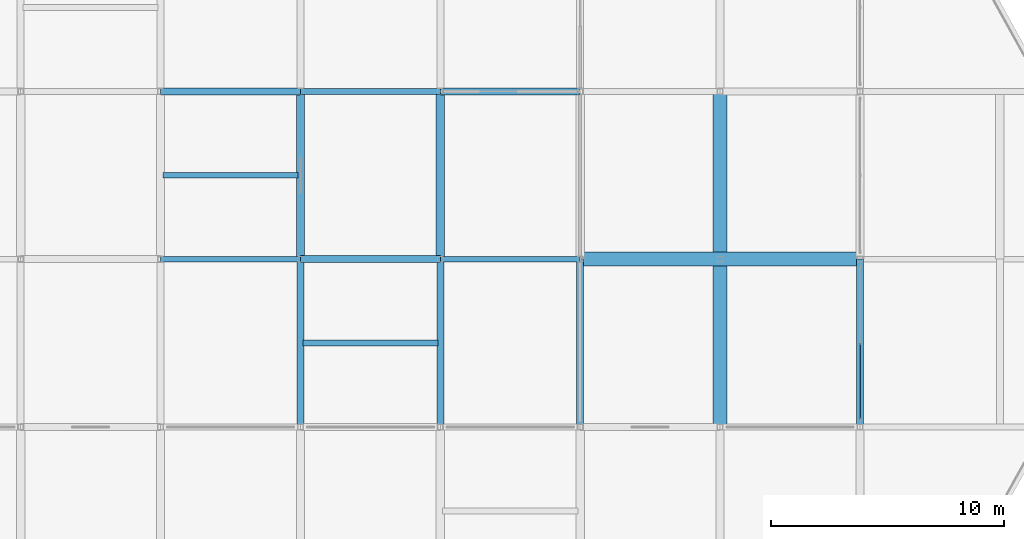
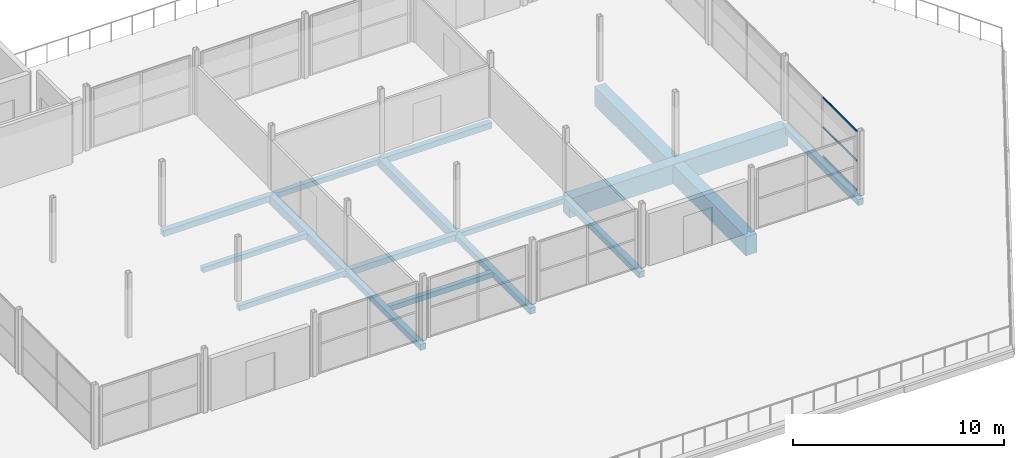
# One storey, part 159 of 239: 16 beams, 3 members, 1 element without a shape of its own.
"""IFC4 building model written with IfcOpenShell, lengths in metres."""

from ifc_helpers import new_model, si_unit, direction, frame, origin, origin_2d, place, context, subcontext, project, spatial, rectangle, hollow_rectangle, extrude, material, layer, layer_set, material_profile, profile_set, type_object, element, aggregate, save


model = new_model("IFC4")

# Units and contexts
model_context = context("Model", 3, precision=1e-05, world=origin(), true_north=direction((0.0, 1.0)))
body_context = subcontext(model_context, "Body", "Model", "MODEL_VIEW")
ifc_project = project(units=[si_unit("LENGTHUNIT", "METRE"), si_unit("AREAUNIT", "SQUARE_METRE"), si_unit("VOLUMEUNIT", "CUBIC_METRE"), si_unit("PLANEANGLEUNIT", "RADIAN"), si_unit("MASSUNIT", "GRAM", prefix="KILO")], contexts=[model_context])

# Site, building, storey
site_placement = place(None, origin())
site = spatial("IfcSite", under=ifc_project, at=site_placement, CompositionType="ELEMENT")
building_placement = place(site_placement, origin())
building = spatial("IfcBuilding", under=site, at=building_placement, Name="Dunvalen Ferry Terminal", CompositionType="ELEMENT")
storey_placement = place(building_placement, frame((0.0, 0.0, 9.840087890625)))
storey = spatial("IfcBuildingStorey", under=building, at=storey_placement, Name="L02", CompositionType="ELEMENT", Elevation=9.840087890625)

# Curtain wall, members
ifc_material_1 = material(Name="Anodised marine aluminium and solar-control glazing", Category="aluminium")
ifc_layer = layer(ifc_material_1, 0.159912109375, Name="Anodised marine aluminium and solar-control glazing")
ifc_layer_set = layer_set([ifc_layer], Name="Anodised marine aluminium and solar-control glazing")
curtain_wall_type = type_object("IfcCurtainWallType", Name="ENV-CW-SYS-10", PredefinedType="NOTDEFINED", material=ifc_layer_set)
curtain_wall_placement = place(storey_placement, origin())
curtain_wall = element("IfcCurtainWall", 1, at=curtain_wall_placement, inside=storey, type_object=curtain_wall_type, Name="L02 Curtain Wall CW-PAV-E-1", PredefinedType="NOTDEFINED")
ifc_material_2 = material(Name="Anodised marine aluminium EN AW-6063 T6", Category="aluminium")
ifc_material_profile_1 = material_profile(ifc_material_2, hollow_rectangle(XDim=0.054931640625, YDim=0.10009765625, WallThickness=0.0029296875, InnerFilletRadius=0.0029296875, OuterFilletRadius=0.006103515625, at=origin_2d()), Name="Anodised marine aluminium EN AW-6063 T6")
ifc_profile_set_1 = profile_set([ifc_material_profile_1], Name="Anodised marine aluminium EN AW-6063 T6")
member_type = type_object("IfcMemberType", Name="ENV-CW-TRN-4", PredefinedType="USERDEFINED", material=ifc_profile_set_1)
member_1_placement = place(storey_placement, frame((156.0, 14.7548828125, 0.02734375), z_axis=(0.0, 1.0, 0.0), x_axis=(-1.0, 0.0, 0.0)))
member_1 = element("IfcMember", 2, at=member_1_placement, type_object=member_type, Name="CW-10 transom 1.1", ObjectType="TRANSOM", PredefinedType="USERDEFINED", context=body_context, shape_type="SweptSolid", body=[
    extrude(hollow_rectangle(XDim=0.054931640625, YDim=0.10009765625, WallThickness=0.0029296875, InnerFilletRadius=0.0029296875, OuterFilletRadius=0.006103515625, at=origin_2d()), origin(), (0.0, 0.0, 1.0), 3.217529296875),
])
member_2_placement = place(storey_placement, frame((156.0, 14.7548828125, 1.72998046875), z_axis=(0.0, 1.0, 0.0), x_axis=(-1.0, 0.0, 0.0)))
member_2 = element("IfcMember", 3, at=member_2_placement, type_object=member_type, Name="CW-10 transom 1.2", ObjectType="TRANSOM", PredefinedType="USERDEFINED", context=body_context, shape_type="SweptSolid", body=[
    extrude(hollow_rectangle(XDim=0.054931640625, YDim=0.10009765625, WallThickness=0.0029296875, InnerFilletRadius=0.0029296875, OuterFilletRadius=0.006103515625, at=origin_2d()), origin(), (0.0, 0.0, 1.0), 3.217529296875),
])
member_3_placement = place(storey_placement, frame((156.0, 14.7548828125, 3.432373046875), z_axis=(0.0, 1.0, 0.0), x_axis=(-1.0, 0.0, 0.0)))
member_3 = element("IfcMember", 4, at=member_3_placement, type_object=member_type, Name="CW-10 transom 1.3", ObjectType="TRANSOM", PredefinedType="USERDEFINED", context=body_context, shape_type="SweptSolid", body=[
    extrude(hollow_rectangle(XDim=0.054931640625, YDim=0.10009765625, WallThickness=0.0029296875, InnerFilletRadius=0.0029296875, OuterFilletRadius=0.006103515625, at=origin_2d()), origin(), (0.0, 0.0, 1.0), 3.217529296875),
])
aggregate(curtain_wall, [member_1, member_2, member_3])

# Beams
ifc_material_3 = material(Name="Concrete C35/45", Category="concrete")
ifc_material_profile_2 = material_profile(ifc_material_3, rectangle(XDim=0.35009765625, YDim=0.5, at=origin_2d()), Name="Concrete C35/45")
ifc_profile_set_2 = profile_set([ifc_material_profile_2], Name="Concrete C35/45")
beam_type_1 = type_object("IfcBeamType", Name="STR-BM-RCB500W", PredefinedType="JOIST", material=ifc_profile_set_2)
for number, where, z_axis, x_axis, name in (
    (5, (132.0, 21.60009765625, -0.530029296875), (0.0, 1.0, 0.0), (-1.0, 0.0, 0.0), "L02 V4 Primary Girder Y-089"),
    (6, (138.0, 21.60009765625, -0.530029296875), (0.0, 1.0, 0.0), (-1.0, 0.0, 0.0), "L02 V4 Primary Girder Y-095"),
):
    element("IfcBeam", number, at=place(storey_placement, frame(where, z_axis=z_axis, x_axis=x_axis)), inside=storey, type_object=beam_type_1, Name=name, PredefinedType="JOIST", context=body_context, shape_type="SweptSolid", body=[
        extrude(rectangle(XDim=0.35009765625, YDim=0.5, at=origin_2d()), origin(), (0.0, 0.0, 1.0), 7.199951171875),
    ])
ifc_material_4 = material(Name="Concrete C40/50", Category="concrete")
ifc_material_profile_3 = material_profile(ifc_material_4, rectangle(XDim=0.60009765625, YDim=1.10009765625, at=origin_2d()), Name="Concrete C40/50")
ifc_profile_set_3 = profile_set([ifc_material_profile_3], Name="Concrete C40/50")
beam_type_2 = type_object("IfcBeamType", Name="STR-BM-RCG1100", PredefinedType="BEAM", material=ifc_profile_set_3)
beam_1_placement = place(storey_placement, frame((144.0, 21.60009765625, -0.830078125), z_axis=(1.0, 0.0, 0.0), x_axis=(0.0, 1.0, 0.0)))
element("IfcBeam", 7, at=beam_1_placement, inside=storey, type_object=beam_type_2, Name="L02 Promenade Transfer Girder X over Ramp Landing", PredefinedType="BEAM", context=body_context, shape_type="SweptSolid", body=[
    extrude(rectangle(XDim=0.60009765625, YDim=1.10009765625, at=origin_2d()), origin(), (0.0, 0.0, 1.0), 12.0),
])
beam_2_placement = place(storey_placement, frame((150.0, 14.39990234375, -0.830078125), z_axis=(0.0, 1.0, 0.0), x_axis=(-1.0, 0.0, 0.0)))
element("IfcBeam", 8, at=beam_2_placement, inside=storey, type_object=beam_type_2, Name="L02 Promenade Transfer Girder Y over Ramp Landing", PredefinedType="BEAM", context=body_context, shape_type="SweptSolid", body=[
    extrude(rectangle(XDim=0.60009765625, YDim=1.10009765625, at=origin_2d()), origin(), (0.0, 0.0, 1.0), 14.400146484375),
])
ifc_material_profile_4 = material_profile(ifc_material_3, rectangle(XDim=0.25, YDim=0.300048828125, at=origin_2d()), Name="Concrete C35/45")
ifc_profile_set_4 = profile_set([ifc_material_profile_4], Name="Concrete C35/45")
beam_type_3 = type_object("IfcBeamType", Name="STR-BM-RCL300", PredefinedType="LINTEL", material=ifc_profile_set_4)
for number, where, z_axis, x_axis, name in (
    (9, (126.0, 21.60009765625, -0.43017578125), (1.0, 0.0, 0.0), (0.0, 1.0, 0.0), "L02 V4 Primary Beam X-031"),
    (10, (138.0, 21.60009765625, -0.43017578125), (1.0, 0.0, 0.0), (0.0, 1.0, 0.0), "L02 V4 Primary Beam X-033"),
    (11, (132.0, 28.800048828125, -0.43017578125), (1.0, 0.0, 0.0), (0.0, 1.0, 0.0), "L02 V4 Primary Beam X-041"),
):
    element("IfcBeam", number, at=place(storey_placement, frame(where, z_axis=z_axis, x_axis=x_axis)), inside=storey, type_object=beam_type_3, Name=name, PredefinedType="LINTEL", context=body_context, shape_type="SweptSolid", body=[
        extrude(rectangle(XDim=0.25, YDim=0.300048828125, at=origin_2d()), origin(), (0.0, 0.0, 1.0), 6.0),
    ])
for number, where, z_axis, x_axis, name in (
    (12, (126.10009765625, 25.199951171875, -0.43017578125), (1.0, 0.0, 0.0), (0.0, 1.0, 0.0), "L02 V4 Secondary Joist 003"),
    (13, (132.10009765625, 18.0, -0.43017578125), (1.0, 0.0, 0.0), (0.0, 1.0, 0.0), "L02 V4 Secondary Joist 004"),
):
    element("IfcBeam", number, at=place(storey_placement, frame(where, z_axis=z_axis, x_axis=x_axis)), inside=storey, type_object=beam_type_3, Name=name, PredefinedType="LINTEL", context=body_context, shape_type="SweptSolid", body=[
        extrude(rectangle(XDim=0.25, YDim=0.300048828125, at=origin_2d()), origin(), (0.0, 0.0, 1.0), 5.7998046875),
    ])
ifc_material_profile_5 = material_profile(ifc_material_4, rectangle(XDim=0.300048828125, YDim=0.35009765625, at=origin_2d()), Name="Concrete C40/50")
ifc_profile_set_5 = profile_set([ifc_material_profile_5], Name="Concrete C40/50")
beam_type_4 = type_object("IfcBeamType", Name="STR-BM-RCL350", PredefinedType="LINTEL", material=ifc_profile_set_5)
for number, where, z_axis, x_axis, name in (
    (14, (132.0, 21.60009765625, -0.455078125), (1.0, 0.0, 0.0), (0.0, 1.0, 0.0), "L02 V4 Primary Beam X-032"),
    (15, (126.0, 28.800048828125, -0.455078125), (1.0, 0.0, 0.0), (0.0, 1.0, 0.0), "L02 V4 Primary Beam X-040"),
    (16, (138.0, 28.800048828125, -0.455078125), (1.0, 0.0, 0.0), (0.0, 1.0, 0.0), "L02 V4 Primary Beam X-042"),
):
    element("IfcBeam", number, at=place(storey_placement, frame(where, z_axis=z_axis, x_axis=x_axis)), inside=storey, type_object=beam_type_4, Name=name, PredefinedType="LINTEL", context=body_context, shape_type="SweptSolid", body=[
        extrude(rectangle(XDim=0.300048828125, YDim=0.35009765625, at=origin_2d()), origin(), (0.0, 0.0, 1.0), 6.0),
    ])
for number, where, z_axis, x_axis, name in (
    (17, (132.0, 14.39990234375, -0.455078125), (0.0, 1.0, 0.0), (-1.0, 0.0, 0.0), "L02 V4 Primary Girder Y-088"),
    (18, (138.0, 14.39990234375, -0.455078125), (0.0, 1.0, 0.0), (-1.0, 0.0, 0.0), "L02 V4 Primary Girder Y-094"),
    (19, (144.0, 14.39990234375, -0.455078125), (0.0, 1.0, 0.0), (-1.0, 0.0, 0.0), "L02 V4 Primary Girder Y-100"),
    (20, (156.0, 14.39990234375, -0.455078125), (0.0, 1.0, 0.0), (-1.0, 0.0, 0.0), "L02 V4 Primary Girder Y-110"),
):
    element("IfcBeam", number, at=place(storey_placement, frame(where, z_axis=z_axis, x_axis=x_axis)), inside=storey, type_object=beam_type_4, Name=name, PredefinedType="LINTEL", context=body_context, shape_type="SweptSolid", body=[
        extrude(rectangle(XDim=0.300048828125, YDim=0.35009765625, at=origin_2d()), origin(), (0.0, 0.0, 1.0), 7.2001953125),
    ])

save(model, "model.ifc")
